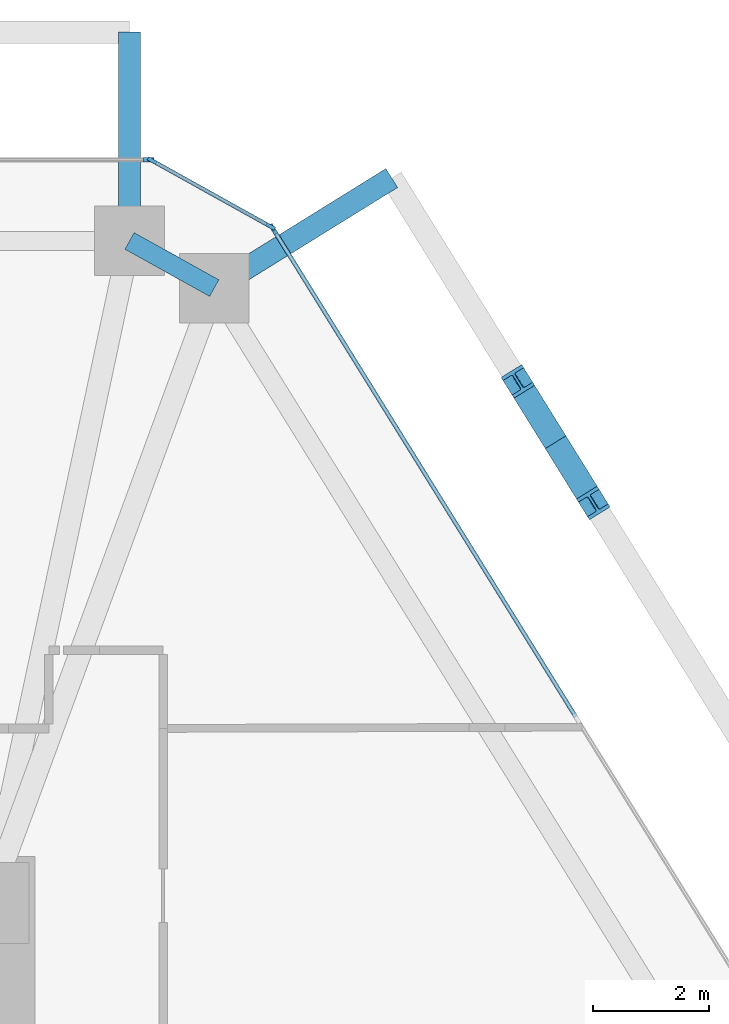
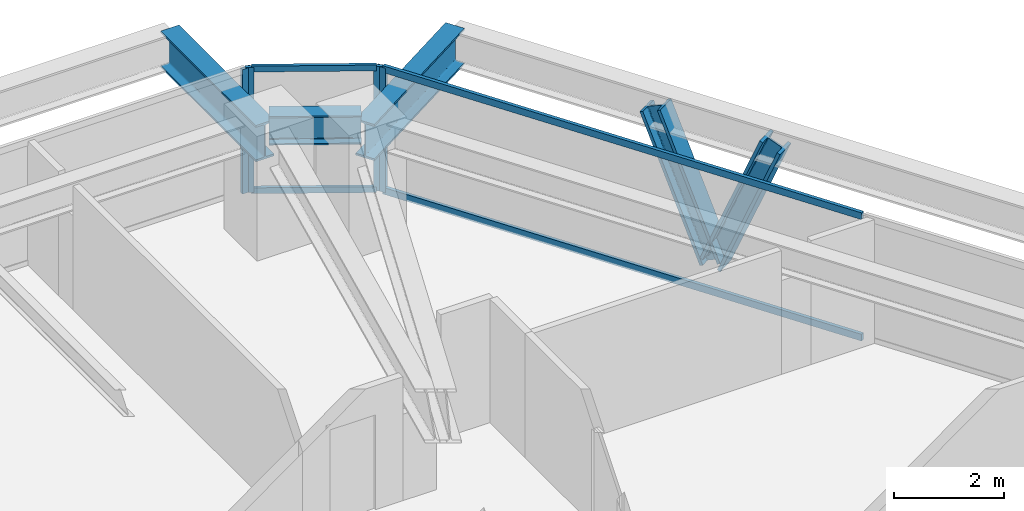
# One storey, part 8 of 14: 10 members, 3 beams, 3 elements without a shape of their own.
"""IFC4 building model written with IfcOpenShell, lengths in metres."""

from ifc_helpers import new_model, si_unit, direction, frame, origin, origin_2d, place, context, subcontext, project, spatial, rectangle, i_section, extrude, source, transform, mapped, material, layer, layer_set, material_profile, profile_set, type_object, type_shapes, element, aggregate, save


model = new_model("IFC4")

# Units and contexts
model_context = context("Model", 3, precision=1e-05, world=origin(), true_north=direction((0.0, 1.0)))
body_context = subcontext(model_context, "Body", "Model", "MODEL_VIEW")
ifc_project = project(units=[si_unit("LENGTHUNIT", "METRE"), si_unit("AREAUNIT", "SQUARE_METRE"), si_unit("VOLUMEUNIT", "CUBIC_METRE"), si_unit("PLANEANGLEUNIT", "RADIAN"), si_unit("MASSUNIT", "GRAM", prefix="KILO")], contexts=[model_context])

# Site, building, storey
site_placement = place(None, origin())
site = spatial("IfcSite", under=ifc_project, at=site_placement, CompositionType="ELEMENT")
building_placement = place(site_placement, origin())
building = spatial("IfcBuilding", under=site, at=building_placement, Name="Durnholm Broadcast Tower", CompositionType="ELEMENT")
storey_placement = place(building_placement, frame((0.0, 0.0, 140.10009765625)))
storey = spatial("IfcBuildingStorey", under=building, at=storey_placement, Name="L38", CompositionType="ELEMENT", Elevation=140.10009765625)

# Beams
ifc_material_1 = material(Name="Steel ASTM A992 Grade 50", Category="steel")
ifc_material_profile_1 = material_profile(ifc_material_1, i_section(OverallWidth=0.385009765625, OverallDepth=0.802978515625, WebThickness=0.023681640625, FlangeThickness=0.0419921875, FilletRadius=0.032958984375, at=origin_2d()), Name="W30X261")
ifc_profile_set_1 = profile_set([ifc_material_profile_1], Name="Steel ASTM A992 Grade 50")
beam_type_1 = type_object("IfcBeamType", Name="BM-EXO-TIE", PredefinedType="USERDEFINED", material=ifc_profile_set_1)
shared_shape_1 = source(origin(), body_context, "Body", "SweptSolid", [
    extrude(i_section(OverallWidth=0.385009765625, OverallDepth=0.802978515625, WebThickness=0.023681640625, FlangeThickness=0.0419921875, FilletRadius=0.032958984375, at=origin_2d()), origin(), (0.0, 0.0, 1.0), 3.4560546875),
])
beam_1_placement = place(storey_placement, frame((12.22998046875, 19.35888671875, 2.008544921875), z_axis=(0.0, 1.0, 0.0), x_axis=(-1.0, 0.0, 0.0)))
element("IfcBeam", 1, at=beam_1_placement, inside=storey, type_object=beam_type_1, Name="L38 exoskeleton stand-off tie bracket F4.1", ObjectType="GIRDER", PredefinedType="USERDEFINED", context=body_context, shape_type="MappedRepresentation", body=[
    mapped(shared_shape_1, transform((0.0, 0.0, 0.0), x_axis=(1.0, 0.0, 0.0), y_axis=(0.0, 1.0, 0.0), z_axis=(0.0, 0.0, 1.0), scale=1.0)),
])
shared_shape_2 = source(origin(), body_context, "Body", "SweptSolid", [
    extrude(i_section(OverallWidth=0.385009765625, OverallDepth=0.802978515625, WebThickness=0.023681640625, FlangeThickness=0.0419921875, FilletRadius=0.032958984375, at=origin_2d()), origin(), (0.0, 0.0, 1.0), 3.455810546875),
])
type_shapes(beam_type_1, [shared_shape_1, shared_shape_2])
beam_2_placement = place(storey_placement, frame((13.814697265625, 18.477294921875, 2.008544921875), z_axis=(0.849807128357, 0.527093772107, 0.0), x_axis=(-0.527093772107, 0.849807128357, 0.0)))
element("IfcBeam", 2, at=beam_2_placement, inside=storey, type_object=beam_type_1, Name="L38 exoskeleton stand-off tie bracket F3.2", ObjectType="GIRDER", PredefinedType="USERDEFINED", context=body_context, shape_type="MappedRepresentation", body=[
    mapped(shared_shape_2, transform((0.0, 0.0, 0.0), x_axis=(1.0, 0.0, 0.0), y_axis=(0.0, 1.0, 0.0), z_axis=(0.0, 0.0, 1.0), scale=1.0)),
])
ifc_material_profile_2 = material_profile(ifc_material_1, i_section(OverallWidth=0.3291015625, OverallDepth=0.635009765625, WebThickness=0.017822265625, FlangeThickness=0.031005859375, FilletRadius=0.02783203125, at=origin_2d()), Name="W24X162")
ifc_profile_set_2 = profile_set([ifc_material_profile_2], Name="Steel ASTM A992 Grade 50")
beam_type_2 = type_object("IfcBeamType", Name="STL-SP-W24X162", PredefinedType="SPANDREL", material=ifc_profile_set_2)
shared_shape_3 = source(origin(), body_context, "Body", "SweptSolid", [
    extrude(i_section(OverallWidth=0.3291015625, OverallDepth=0.635009765625, WebThickness=0.017822265625, FlangeThickness=0.031005859375, FilletRadius=0.02783203125, at=origin_2d()), origin(), (0.0, 0.0, 1.0), 1.67333984375),
])
type_shapes(beam_type_2, [shared_shape_3])
beam_3_placement = place(storey_placement, frame((12.22998046875, 19.215087890625, 2.427490234375), z_axis=(0.873799169188, -0.486286964586, 0.0), x_axis=(0.486286964586, 0.873799169188, 0.0)))
element("IfcBeam", 3, at=beam_3_placement, inside=storey, type_object=beam_type_2, Name="L38 perimeter spandrel girder 06", PredefinedType="SPANDREL", context=body_context, shape_type="MappedRepresentation", body=[
    mapped(shared_shape_3, transform((0.0, 0.0, 0.0), x_axis=(1.0, 0.0, 0.0), y_axis=(0.0, 1.0, 0.0), z_axis=(0.0, 0.0, 1.0), scale=1.0)),
])

# Members
ifc_material_2 = material(Name="Steel ASTM A913 Grade 65", Category="steel")
ifc_material_profile_3 = material_profile(ifc_material_2, i_section(OverallWidth=0.41845703125, OverallDepth=0.455078125, WebThickness=0.0419921875, FlangeThickness=0.067626953125, FilletRadius=0.030517578125, at=origin_2d()), Name="W14X370")
ifc_profile_set_3 = profile_set([ifc_material_profile_3], Name="Steel ASTM A913 Grade 65")
member_type_1 = type_object("IfcMemberType", Name="STL-DG-W14X370", PredefinedType="BRACE", material=ifc_profile_set_3)
shared_shape_4 = source(origin(), body_context, "Body", "SweptSolid", [
    extrude(i_section(OverallWidth=0.41845703125, OverallDepth=0.455078125, WebThickness=0.0419921875, FlangeThickness=0.067626953125, FilletRadius=0.030517578125, at=origin_2d()), origin(), (0.0, 0.0, 1.0), 3.243896484375),
])
member_1_placement = place(storey_placement, frame((19.576416015625, 15.74462890625, -0.991455078125), z_axis=(-0.200572087066, 0.323248448011, 0.924814186066), x_axis=(-0.849716575602, -0.52723973783, 0.0)))
element("IfcMember", 4, at=member_1_placement, inside=storey, type_object=member_type_1, Name="L38 stand-off diagrid brace F3.D2.2", PredefinedType="BRACE", context=body_context, shape_type="MappedRepresentation", body=[
    mapped(shared_shape_4, transform((0.0, 0.0, 0.0), x_axis=(1.0, 0.0, 0.0), y_axis=(0.0, 1.0, 0.0), z_axis=(0.0, 0.0, 1.0), scale=1.0)),
])
shared_shape_5 = source(origin(), body_context, "Body", "SweptSolid", [
    extrude(i_section(OverallWidth=0.41845703125, OverallDepth=0.455078125, WebThickness=0.0419921875, FlangeThickness=0.067626953125, FilletRadius=0.030517578125, at=origin_2d()), origin(), (0.0, 0.0, 1.0), 3.24365234375),
])
type_shapes(member_type_1, [shared_shape_4, shared_shape_5])
member_2_placement = place(storey_placement, frame((19.576416015625, 15.74462890625, -0.991455078125), z_axis=(0.200432488747, -0.323190802359, 0.924864596968), x_axis=(0.849838868368, 0.527042595823, 0.0)))
element("IfcMember", 5, at=member_2_placement, inside=storey, type_object=member_type_1, Name="L38 stand-off diagrid brace F3.D2.1", PredefinedType="BRACE", context=body_context, shape_type="MappedRepresentation", body=[
    mapped(shared_shape_5, transform((0.0, 0.0, 0.0), x_axis=(1.0, 0.0, 0.0), y_axis=(0.0, 1.0, 0.0), z_axis=(0.0, 0.0, 1.0), scale=1.0)),
])

# Curtain wall, members
ifc_material_3 = material(Name="Aluminium and Solar Control IGU", Category="aluminium")
ifc_layer_1 = layer(ifc_material_3, 0.1650390625)
ifc_layer_set_1 = layer_set([ifc_layer_1], Name="Aluminium and Solar Control IGU")
curtain_wall_type_1 = type_object("IfcCurtainWallType", Name="CW-SYS-5", PredefinedType="NOTDEFINED", material=ifc_layer_set_1)
curtain_wall_1_placement = place(storey_placement, origin())
curtain_wall_1 = element("IfcCurtainWall", 6, at=curtain_wall_1_placement, inside=storey, type_object=curtain_wall_type_1, Name="L38 curtain wall CW-CORNER CW-L38-CRN-05", PredefinedType="NOTDEFINED")
ifc_material_4 = material(Name="Aluminium 6063-T6", Category="aluminium")
ifc_material_profile_4 = material_profile(ifc_material_4, rectangle(XDim=0.06494140625, YDim=0.1650390625, at=origin_2d()), Name="CWM65X165")
ifc_profile_set_4 = profile_set([ifc_material_profile_4], Name="Aluminium 6063-T6")
member_type_2 = type_object("IfcMemberType", Name="CW-SYS-5-MUL", PredefinedType="MULLION", material=ifc_profile_set_4)
shared_shape_6 = source(origin(), body_context, "Body", "SweptSolid", [
    extrude(rectangle(XDim=0.06494140625, YDim=0.1650390625, at=origin_2d()), origin(), (0.0, 0.0, 1.0), 2.760009765625),
])
type_shapes(member_type_2, [shared_shape_6])
member_3_placement = place(storey_placement, frame((12.62158203125, 20.59912109375, 0.0), z_axis=(0.0, 0.0, 1.0), x_axis=(0.486244224192, 0.873822953715, 0.0)))
member_3 = element("IfcMember", 7, at=member_3_placement, type_object=member_type_2, Name="CW-CORNER mullion 1", PredefinedType="MULLION", context=body_context, shape_type="MappedRepresentation", body=[
    mapped(shared_shape_6, transform((0.0, 0.0, 0.0), x_axis=(1.0, 0.0, 0.0), y_axis=(0.0, 1.0, 0.0), z_axis=(0.0, 0.0, 1.0), scale=1.0)),
])
member_4_placement = place(storey_placement, frame((14.662109375, 19.4638671875, 0.0), z_axis=(0.0, 0.0, 1.0), x_axis=(0.486244224192, 0.873822953715, 0.0)))
member_4 = element("IfcMember", 8, at=member_4_placement, type_object=member_type_2, Name="CW-CORNER mullion 2", PredefinedType="MULLION", context=body_context, shape_type="MappedRepresentation", body=[
    mapped(shared_shape_6, transform((0.0, 0.0, 0.0), x_axis=(1.0, 0.0, 0.0), y_axis=(0.0, 1.0, 0.0), z_axis=(0.0, 0.0, 1.0), scale=1.0)),
])

# Curtain wall, member
ifc_layer_2 = layer(ifc_material_3, 0.18994140625)
ifc_layer_set_2 = layer_set([ifc_layer_2], Name="Aluminium and Solar Control IGU")
curtain_wall_type_2 = type_object("IfcCurtainWallType", Name="CW-SYS-3", PredefinedType="NOTDEFINED", material=ifc_layer_set_2)
curtain_wall_2_placement = place(storey_placement, origin())
curtain_wall_2 = element("IfcCurtainWall", 9, at=curtain_wall_2_placement, inside=storey, type_object=curtain_wall_type_2, Name="L38 curtain wall CW-Z12-VIS CW-L38-F04", PredefinedType="NOTDEFINED")
ifc_material_profile_5 = material_profile(ifc_material_4, rectangle(XDim=0.070068359375, YDim=0.18994140625, at=origin_2d()), Name="CWM70X190")
ifc_profile_set_5 = profile_set([ifc_material_profile_5], Name="Aluminium 6063-T6")
member_type_3 = type_object("IfcMemberType", Name="CW-SYS-3-MUL", PredefinedType="MULLION", material=ifc_profile_set_5)
shared_shape_7 = source(origin(), body_context, "Body", "SweptSolid", [
    extrude(rectangle(XDim=0.070068359375, YDim=0.18994140625, at=origin_2d()), origin(), (0.0, 0.0, 1.0), 2.760009765625),
])
type_shapes(member_type_3, [shared_shape_7])
member_5_placement = place(storey_placement, frame((12.55810546875, 20.614990234375, 0.0), z_axis=(0.0, 0.0, 1.0), x_axis=(0.0, 1.0, 0.0)))
member_5 = element("IfcMember", 10, at=member_5_placement, type_object=member_type_3, Name="CW-Z12-VIS mullion 3", PredefinedType="MULLION", context=body_context, shape_type="MappedRepresentation", body=[
    mapped(shared_shape_7, transform((0.0, 0.0, 0.0), x_axis=(1.0, 0.0, 0.0), y_axis=(0.0, 1.0, 0.0), z_axis=(0.0, 0.0, 1.0), scale=1.0)),
])
aggregate(curtain_wall_2, [member_5])

curtain_wall_3_placement = place(storey_placement, origin())
curtain_wall_3 = element("IfcCurtainWall", 11, at=curtain_wall_3_placement, inside=storey, type_object=curtain_wall_type_2, Name="L38 curtain wall CW-Z12-VIS CW-L38-F06", PredefinedType="NOTDEFINED")
member_6_placement = place(storey_placement, frame((14.708740234375, 19.418212890625, 0.0), z_axis=(0.0, 0.0, 1.0), x_axis=(0.849799925229, 0.527105385176, 0.0)))
member_6 = element("IfcMember", 12, at=member_6_placement, type_object=member_type_3, Name="CW-Z12-VIS mullion 1", PredefinedType="MULLION", context=body_context, shape_type="MappedRepresentation", body=[
    mapped(shared_shape_7, transform((0.0, 0.0, 0.0), x_axis=(1.0, 0.0, 0.0), y_axis=(0.0, 1.0, 0.0), z_axis=(0.0, 0.0, 1.0), scale=1.0)),
])

# Member
ifc_material_profile_6 = material_profile(ifc_material_4, rectangle(XDim=0.06494140625, YDim=0.1298828125, at=origin_2d()), Name="CWT65X130")
ifc_profile_set_6 = profile_set([ifc_material_profile_6], Name="Aluminium 6063-T6")
member_type_4 = type_object("IfcMemberType", Name="CW-SYS-5-TRN", PredefinedType="USERDEFINED", material=ifc_profile_set_6)
shared_shape_8 = source(origin(), body_context, "Body", "SweptSolid", [
    extrude(rectangle(XDim=0.06494140625, YDim=0.1298828125, at=origin_2d()), origin(), (0.0, 0.0, 1.0), 2.270263671875),
])
type_shapes(member_type_4, [shared_shape_8])
member_7_placement = place(storey_placement, frame((12.64990234375, 20.58349609375, 0.032470703125), z_axis=(0.873786708897, -0.486309353555, 0.0), x_axis=(0.486309353555, 0.873786708897, 0.0)))
member_7 = element("IfcMember", 13, at=member_7_placement, type_object=member_type_4, Name="CW-CORNER transom 1.1", ObjectType="TRANSOM", PredefinedType="USERDEFINED", context=body_context, shape_type="MappedRepresentation", body=[
    mapped(shared_shape_8, transform((0.0, 0.0, 0.0), x_axis=(1.0, 0.0, 0.0), y_axis=(0.0, 1.0, 0.0), z_axis=(0.0, 0.0, 1.0), scale=1.0)),
])

member_8_placement = place(storey_placement, frame((12.64990234375, 20.58349609375, 2.727294921875), z_axis=(0.873786708897, -0.486309353555, 0.0), x_axis=(0.486309353555, 0.873786708897, 0.0)))
member_8 = element("IfcMember", 14, at=member_8_placement, type_object=member_type_4, Name="CW-CORNER transom 1.2", ObjectType="TRANSOM", PredefinedType="USERDEFINED", context=body_context, shape_type="MappedRepresentation", body=[
    mapped(shared_shape_8, transform((0.0, 0.0, 0.0), x_axis=(1.0, 0.0, 0.0), y_axis=(0.0, 1.0, 0.0), z_axis=(0.0, 0.0, 1.0), scale=1.0)),
])

aggregate(curtain_wall_1, [member_3, member_4, member_7, member_8])

ifc_material_profile_7 = material_profile(ifc_material_4, rectangle(XDim=0.070068359375, YDim=0.14990234375, at=origin_2d()), Name="CWT70X150")
ifc_profile_set_7 = profile_set([ifc_material_profile_7], Name="Aluminium 6063-T6")
member_type_5 = type_object("IfcMemberType", Name="CW-SYS-3-TRN", PredefinedType="USERDEFINED", material=ifc_profile_set_7)
shared_shape_9 = source(origin(), body_context, "Body", "SweptSolid", [
    extrude(rectangle(XDim=0.070068359375, YDim=0.14990234375, at=origin_2d()), origin(), (0.0, 0.0, 1.0), 9.858642578125),
])
type_shapes(member_type_5, [shared_shape_9])
member_9_placement = place(storey_placement, frame((14.727294921875, 19.388427734375, 0.034912109375), z_axis=(0.527102081419, -0.849801974441, 0.0), x_axis=(0.849801974441, 0.527102081419, 0.0)))
member_9 = element("IfcMember", 15, at=member_9_placement, type_object=member_type_5, Name="CW-Z12-VIS transom 1.1", ObjectType="TRANSOM", PredefinedType="USERDEFINED", context=body_context, shape_type="MappedRepresentation", body=[
    mapped(shared_shape_9, transform((0.0, 0.0, 0.0), x_axis=(1.0, 0.0, 0.0), y_axis=(0.0, 1.0, 0.0), z_axis=(0.0, 0.0, 1.0), scale=1.0)),
])

member_10_placement = place(storey_placement, frame((14.727294921875, 19.388427734375, 2.724853515625), z_axis=(0.527102081419, -0.849801974441, 0.0), x_axis=(0.849801974441, 0.527102081419, 0.0)))
member_10 = element("IfcMember", 16, at=member_10_placement, type_object=member_type_5, Name="CW-Z12-VIS transom 1.2", ObjectType="TRANSOM", PredefinedType="USERDEFINED", context=body_context, shape_type="MappedRepresentation", body=[
    mapped(shared_shape_9, transform((0.0, 0.0, 0.0), x_axis=(1.0, 0.0, 0.0), y_axis=(0.0, 1.0, 0.0), z_axis=(0.0, 0.0, 1.0), scale=1.0)),
])

aggregate(curtain_wall_3, [member_6, member_9, member_10])

save(model, "model.ifc")
